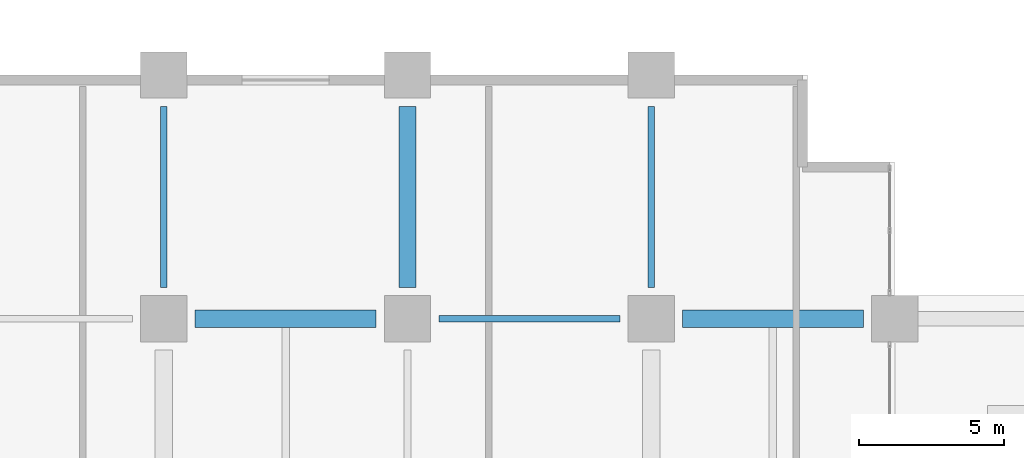
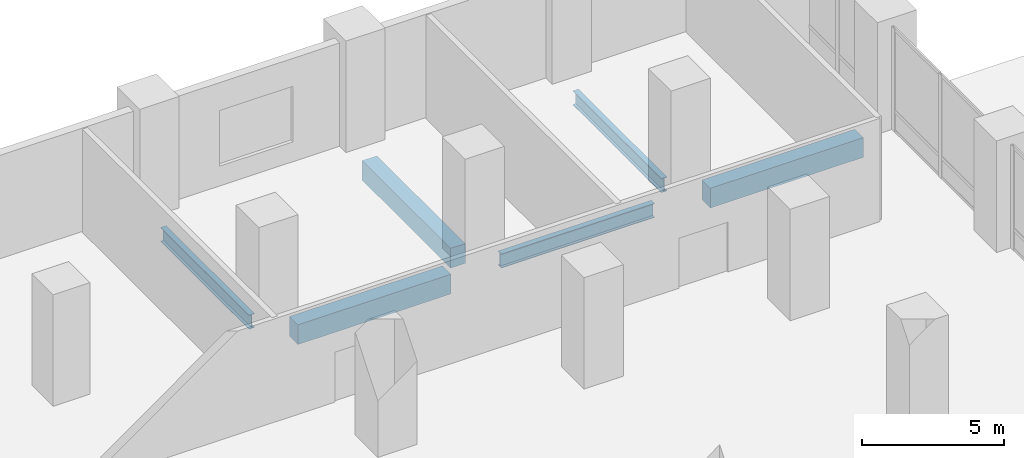
# One storey, part 6 of 22: 6 beams.
"""IFC4 building model written with IfcOpenShell, lengths in metres."""

from ifc_helpers import new_model, si_unit, direction, frame, origin, origin_2d, place, context, subcontext, project, spatial, rectangle, i_section, extrude, material, material_profile, profile_set, type_object, element, save


model = new_model("IFC4")

# Units and contexts
model_context = context("Model", 3, precision=1e-05, world=origin(), true_north=direction((0.0, 1.0)))
body_context = subcontext(model_context, "Body", "Model", "MODEL_VIEW")
ifc_project = project(units=[si_unit("LENGTHUNIT", "METRE"), si_unit("AREAUNIT", "SQUARE_METRE"), si_unit("VOLUMEUNIT", "CUBIC_METRE"), si_unit("PLANEANGLEUNIT", "RADIAN"), si_unit("MASSUNIT", "GRAM", prefix="KILO")], contexts=[model_context])

# Site, building, storey
site_placement = place(None, origin())
site = spatial("IfcSite", under=ifc_project, at=site_placement, CompositionType="ELEMENT")
building_placement = place(site_placement, origin())
building = spatial("IfcBuilding", under=site, at=building_placement, Name="Koriwani Terraces Tower", CompositionType="ELEMENT")
storey_placement = place(building_placement, frame((0.0, 0.0, 6.0)))
storey = spatial("IfcBuildingStorey", under=building, at=storey_placement, Name="L01", CompositionType="ELEMENT", Elevation=6.0)

# Beams
ifc_material_1 = material(Name="Concrete C60/75", Category="concrete")
ifc_material_profile_1 = material_profile(ifc_material_1, rectangle(XDim=0.60009765625, YDim=0.85009765625, at=origin_2d()), Name="Concrete C60/75", Category="LoadBearing")
ifc_profile_set_1 = profile_set([ifc_material_profile_1], Name="Concrete C60/75")
beam_type_1 = type_object("IfcBeamType", Name="BEAM_RC_GRID_600X850", PredefinedType="BEAM", material=ifc_profile_set_1)
for number, where, z_axis, x_axis, name in (
    (1, (68.280029296875, 33.60009765625, -0.77490234375), (1.0, 0.0, 0.0), (0.0, 1.0, 0.0), "L01 Grid Beam E (67.2-75.6m)"),
    (2, (85.080078125, 33.60009765625, -0.77490234375), (1.0, 0.0, 0.0), (0.0, 1.0, 0.0), "L01 Grid Beam E (84.0-92.4m)"),
    (3, (75.60009765625, 34.679931640625, -0.77490234375), (0.0, 1.0, 0.0), (-1.0, 0.0, 0.0), "L01 Grid Beam 10 (33.6-42.0m)"),
):
    element("IfcBeam", number, at=place(storey_placement, frame(where, z_axis=z_axis, x_axis=x_axis)), inside=storey, type_object=beam_type_1, Name=name, PredefinedType="BEAM", context=body_context, shape_type="SweptSolid", body=[
        extrude(rectangle(XDim=0.60009765625, YDim=0.85009765625, at=origin_2d()), origin(), (0.0, 0.0, 1.0), 6.239990234375),
    ])
ifc_material_2 = material(Name="Steel ASTM A572 Grade 50", Category="steel")
ifc_material_profile_2 = material_profile(ifc_material_2, i_section(OverallWidth=0.22900390625, OverallDepth=0.611083984375, WebThickness=0.0126953125, FlangeThickness=0.022216796875, at=origin_2d()), Name="Steel ASTM A572 Grade 50", Category="LoadBearing")
ifc_profile_set_2 = profile_set([ifc_material_profile_2], Name="Steel ASTM A572 Grade 50")
beam_type_2 = type_object("IfcBeamType", Name="STEEL_BEAM_W610X155", PredefinedType="BEAM", material=ifc_profile_set_2)
for number, where, z_axis, x_axis, name in (
    (4, (76.679931640625, 33.60009765625, -0.655517578125), (1.0, 0.0, 0.0), (0.0, 1.0, 0.0), "L01 Grid Beam E (75.6-84.0m)"),
    (5, (67.199951171875, 34.679931640625, -0.655517578125), (0.0, 1.0, 0.0), (-1.0, 0.0, 0.0), "L01 Grid Beam 9 (33.6-42.0m)"),
    (6, (84.0, 34.679931640625, -0.655517578125), (0.0, 1.0, 0.0), (-1.0, 0.0, 0.0), "L01 Grid Beam 11 (33.6-42.0m)"),
):
    element("IfcBeam", number, at=place(storey_placement, frame(where, z_axis=z_axis, x_axis=x_axis)), inside=storey, type_object=beam_type_2, Name=name, PredefinedType="BEAM", context=body_context, shape_type="SweptSolid", body=[
        extrude(i_section(OverallWidth=0.22900390625, OverallDepth=0.611083984375, WebThickness=0.0126953125, FlangeThickness=0.022216796875, at=origin_2d()), origin(), (0.0, 0.0, 1.0), 6.239990234375),
    ])

save(model, "model.ifc")
